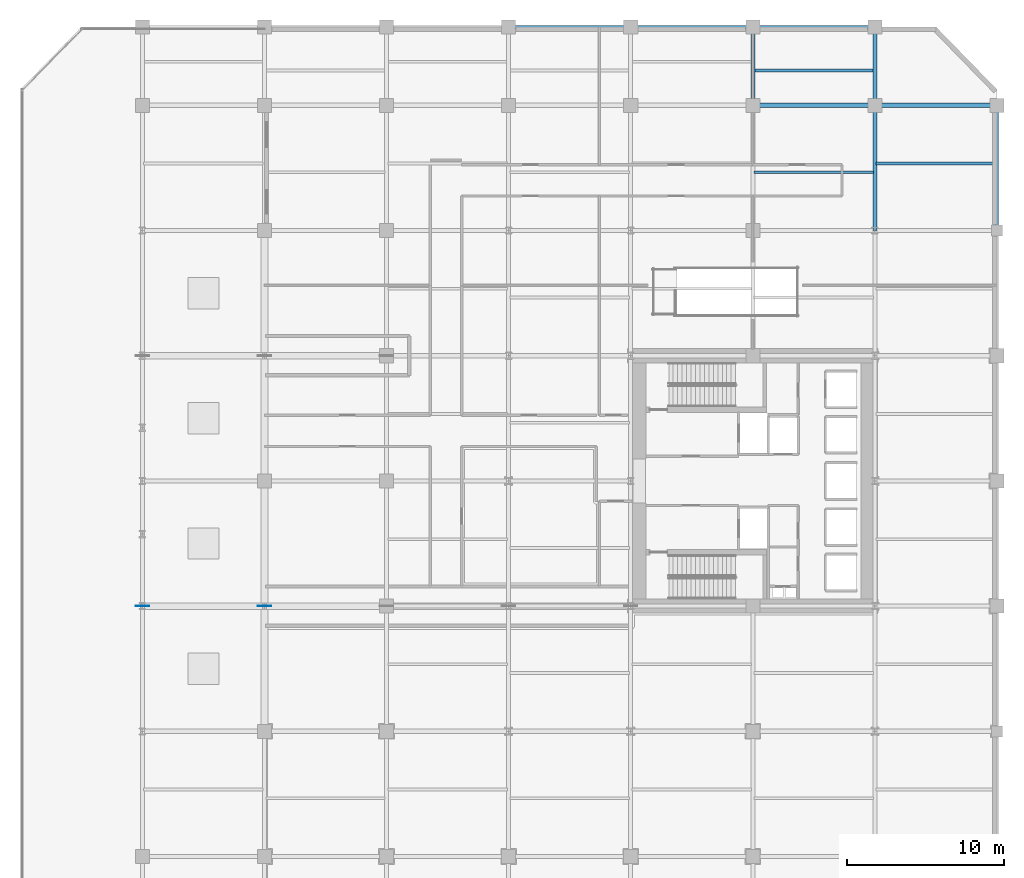
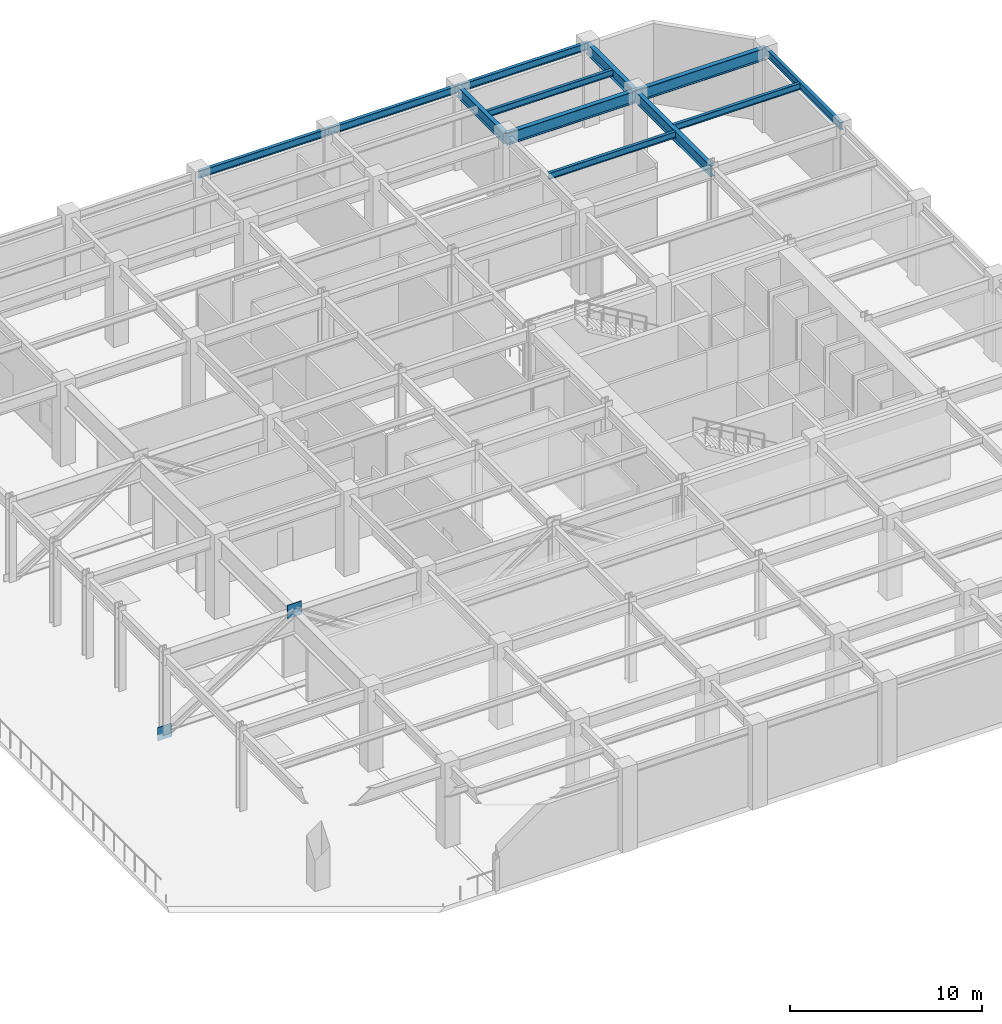
# One storey, part 5 of 14: 12 beams, 2 plates.
"""IFC4 building model written with IfcOpenShell, lengths in metres."""

from ifc_helpers import new_model, si_unit, direction, frame, origin, origin_2d, place, context, subcontext, project, spatial, rectangle, i_section, extrude, material, layer, layer_set, material_profile, profile_set, type_object, element, save


model = new_model("IFC4")

# Units and contexts
model_context = context("Model", 3, precision=1e-05, world=origin(), true_north=direction((0.0, 1.0)))
body_context = subcontext(model_context, "Body", "Model", "MODEL_VIEW")
ifc_project = project(units=[si_unit("LENGTHUNIT", "METRE"), si_unit("AREAUNIT", "SQUARE_METRE"), si_unit("VOLUMEUNIT", "CUBIC_METRE"), si_unit("PLANEANGLEUNIT", "RADIAN"), si_unit("MASSUNIT", "GRAM", prefix="KILO")], contexts=[model_context])

# Site, building, storey
site_placement = place(None, origin())
site = spatial("IfcSite", under=ifc_project, at=site_placement, CompositionType="ELEMENT")
building_placement = place(site_placement, origin())
building = spatial("IfcBuilding", under=site, at=building_placement, Name="Veymaron Broadcast Tower", CompositionType="ELEMENT")
storey_placement = place(building_placement, frame((0.0, 0.0, 27.0)))
storey = spatial("IfcBuildingStorey", under=building, at=storey_placement, Name="L05", CompositionType="ELEMENT", Elevation=27.0)

# Beams
ifc_material_1 = material(Name="Structural steel ASTM A992 Gr 50", Category="steel")
ifc_material_profile_1 = material_profile(ifc_material_1, i_section(OverallWidth=0.177978515625, OverallDepth=0.406982421875, WebThickness=0.0078125, FlangeThickness=0.0126953125, at=origin_2d()), Name="W410X60")
ifc_profile_set_1 = profile_set([ifc_material_profile_1], Name="Structural steel ASTM A992 Gr 50")
beam_type_1 = type_object("IfcBeamType", Name="BM-JS1", PredefinedType="JOIST", material=ifc_profile_set_1)
for number, where, z_axis, x_axis, name in (
    (1, (46.885009765625, 43.719970703125, 4.87646484375), (1.0, 0.0, 0.0), (0.0, 1.0, 0.0), "L05 podium secondary floor joist"),
    (2, (46.885009765625, 50.219970703125, 4.87646484375), (1.0, 0.0, 0.0), (0.0, 1.0, 0.0), "L05 podium secondary floor joist"),
    (3, (54.68505859375, 44.280029296875, 4.87646484375), (1.0, 0.0, 0.0), (0.0, 1.0, 0.0), "L05 podium secondary floor joist"),
):
    element("IfcBeam", number, at=place(storey_placement, frame(where, z_axis=z_axis, x_axis=x_axis)), inside=storey, type_object=beam_type_1, Name=name, PredefinedType="JOIST", context=body_context, shape_type="SweptSolid", body=[
        extrude(i_section(OverallWidth=0.177978515625, OverallDepth=0.406982421875, WebThickness=0.0078125, FlangeThickness=0.0126953125, at=origin_2d()), origin(), (0.0, 0.0, 1.0), 7.6298828125),
    ])
ifc_material_profile_2 = material_profile(ifc_material_1, i_section(OverallWidth=0.26806640625, OverallDepth=0.77001953125, WebThickness=0.015625, FlangeThickness=0.025390625, at=origin_2d()), Name="W760X196")
ifc_profile_set_2 = profile_set([ifc_material_profile_2], Name="Structural steel ASTM A992 Gr 50")
beam_type_2 = type_object("IfcBeamType", Name="BM-PG1", PredefinedType="BEAM", material=ifc_profile_set_2)
beam_1_placement = place(storey_placement, frame((46.800048828125, 48.0, 4.695068359375), z_axis=(1.0, 0.0, 0.0), x_axis=(0.0, 1.0, 0.0)))
element("IfcBeam", 4, at=beam_1_placement, inside=storey, type_object=beam_type_2, Name="L05 podium primary X-girder", PredefinedType="BEAM", context=body_context, shape_type="SweptSolid", body=[
    extrude(i_section(OverallWidth=0.26806640625, OverallDepth=0.77001953125, WebThickness=0.015625, FlangeThickness=0.025390625, at=origin_2d()), origin(), (0.0, 0.0, 1.0), 7.800048828125),
])
beam_2_placement = place(storey_placement, frame((54.60009765625, 48.0, 4.695068359375), z_axis=(1.0, 0.0, 0.0), x_axis=(0.0, 1.0, 0.0)))
element("IfcBeam", 5, at=beam_2_placement, inside=storey, type_object=beam_type_2, Name="L05 podium primary X-girder", PredefinedType="BEAM", context=body_context, shape_type="SweptSolid", body=[
    extrude(i_section(OverallWidth=0.26806640625, OverallDepth=0.77001953125, WebThickness=0.015625, FlangeThickness=0.025390625, at=origin_2d()), origin(), (0.0, 0.0, 1.0), 7.7998046875),
])
ifc_material_profile_3 = material_profile(ifc_material_1, i_section(OverallWidth=0.256103515625, OverallDepth=0.693115234375, WebThickness=0.014404296875, FlangeThickness=0.023681640625, at=origin_2d()), Name="W690X170")
ifc_profile_set_3 = profile_set([ifc_material_profile_3], Name="Structural steel ASTM A992 Gr 50")
beam_type_3 = type_object("IfcBeamType", Name="BM-PG2", PredefinedType="BEAM", material=ifc_profile_set_3)
beam_3_placement = place(storey_placement, frame((46.800048828125, 48.0, 4.7333984375), z_axis=(0.0, 1.0, 0.0), x_axis=(-1.0, 0.0, 0.0)))
element("IfcBeam", 6, at=beam_3_placement, inside=storey, type_object=beam_type_3, Name="L05 podium primary Y-girder", PredefinedType="BEAM", context=body_context, shape_type="SweptSolid", body=[
    extrude(i_section(OverallWidth=0.256103515625, OverallDepth=0.693115234375, WebThickness=0.014404296875, FlangeThickness=0.023681640625, at=origin_2d()), origin(), (0.0, 0.0, 1.0), 5.0),
])
beam_4_placement = place(storey_placement, frame((54.60009765625, 40.0, 4.7333984375), z_axis=(0.0, 1.0, 0.0), x_axis=(-1.0, 0.0, 0.0)))
element("IfcBeam", 7, at=beam_4_placement, inside=storey, type_object=beam_type_3, Name="L05 podium primary Y-girder", PredefinedType="BEAM", context=body_context, shape_type="SweptSolid", body=[
    extrude(i_section(OverallWidth=0.256103515625, OverallDepth=0.693115234375, WebThickness=0.014404296875, FlangeThickness=0.023681640625, at=origin_2d()), origin(), (0.0, 0.0, 1.0), 8.0),
])
beam_5_placement = place(storey_placement, frame((54.60009765625, 48.0, 4.7333984375), z_axis=(0.0, 1.0, 0.0), x_axis=(-1.0, 0.0, 0.0)))
element("IfcBeam", 8, at=beam_5_placement, inside=storey, type_object=beam_type_3, Name="L05 podium primary Y-girder", PredefinedType="BEAM", context=body_context, shape_type="SweptSolid", body=[
    extrude(i_section(OverallWidth=0.256103515625, OverallDepth=0.693115234375, WebThickness=0.014404296875, FlangeThickness=0.023681640625, at=origin_2d()), origin(), (0.0, 0.0, 1.0), 5.0),
])
ifc_material_profile_4 = material_profile(ifc_material_1, i_section(OverallWidth=0.19091796875, OverallDepth=0.4599609375, WebThickness=0.010009765625, FlangeThickness=0.01611328125, at=origin_2d()), Name="W460X82")
ifc_profile_set_4 = profile_set([ifc_material_profile_4], Name="Structural steel ASTM A992 Gr 50")
beam_type_4 = type_object("IfcBeamType", Name="BM-SP1", PredefinedType="SPANDREL", material=ifc_profile_set_4)
for number, where, z_axis, x_axis, name in (
    (9, (31.199951171875, 53.0, 4.85009765625), (1.0, 0.0, 0.0), (0.0, 1.0, 0.0), "L05 podium primary X-girder"),
    (10, (39.0, 53.0, 4.85009765625), (1.0, 0.0, 0.0), (0.0, 1.0, 0.0), "L05 podium primary X-girder"),
    (11, (46.800048828125, 53.0, 4.85009765625), (1.0, 0.0, 0.0), (0.0, 1.0, 0.0), "L05 podium primary X-girder"),
):
    element("IfcBeam", number, at=place(storey_placement, frame(where, z_axis=z_axis, x_axis=x_axis)), inside=storey, type_object=beam_type_4, Name=name, PredefinedType="SPANDREL", context=body_context, shape_type="SweptSolid", body=[
        extrude(i_section(OverallWidth=0.19091796875, OverallDepth=0.4599609375, WebThickness=0.010009765625, FlangeThickness=0.01611328125, at=origin_2d()), origin(), (0.0, 0.0, 1.0), 7.800048828125),
    ])
beam_6_placement = place(storey_placement, frame((62.39990234375, 40.0, 4.85009765625), z_axis=(0.0, 1.0, 0.0), x_axis=(-1.0, 0.0, 0.0)))
element("IfcBeam", 12, at=beam_6_placement, inside=storey, type_object=beam_type_4, Name="L05 podium primary Y-girder", PredefinedType="SPANDREL", context=body_context, shape_type="SweptSolid", body=[
    extrude(i_section(OverallWidth=0.19091796875, OverallDepth=0.4599609375, WebThickness=0.010009765625, FlangeThickness=0.01611328125, at=origin_2d()), origin(), (0.0, 0.0, 1.0), 8.0),
])

# Plates
ifc_material_2 = material(Name="Structural steel ASTM A913 Gr 65", Category="steel")
ifc_layer = layer(ifc_material_2, 0.044921875)
ifc_layer_set = layer_set([ifc_layer], Name="Structural steel ASTM A913 Gr 65")
plate_type = type_object("IfcPlateType", Name="PLT-NODE-TN1", PredefinedType="SHEET", material=ifc_layer_set)
for number, where, z_axis, x_axis, name in (
    (13, (7.800048828125, 16.0, -0.405029296875), (0.0, 0.0, 1.0), (1.0, 0.0, 0.0), "L05 Studio Transfer Truss TT1 gusset node TN1"),
    (14, (15.60009765625, 16.0, 4.635009765625), (0.0, 0.0, 1.0), (1.0, 0.0, 0.0), "L05 Studio Transfer Truss TT1 gusset node TN1"),
):
    element("IfcPlate", number, at=place(storey_placement, frame(where, z_axis=z_axis, x_axis=x_axis)), inside=storey, type_object=plate_type, Name=name, PredefinedType="SHEET", context=body_context, shape_type="SweptSolid", body=[
        extrude(rectangle(XDim=0.85009765625, YDim=0.044921875, at=origin_2d()), origin(), (0.0, 0.0, 1.0), 0.85009765625),
    ])

save(model, "model.ifc")
